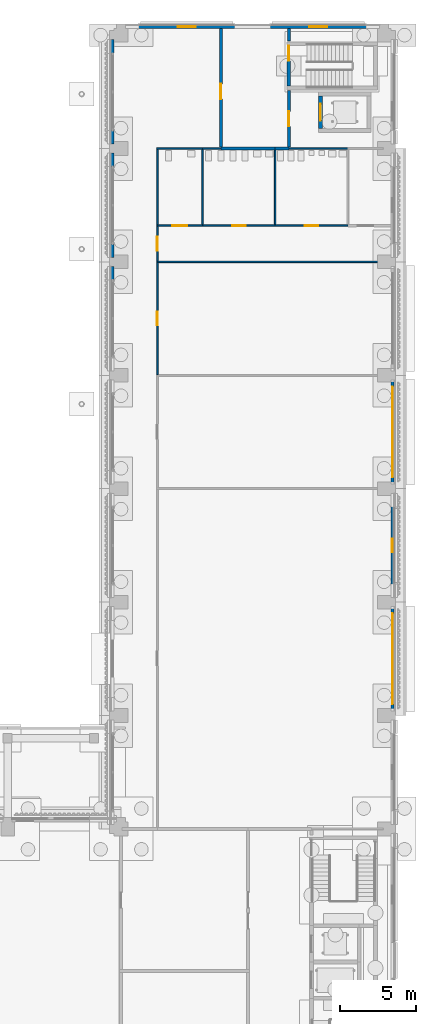
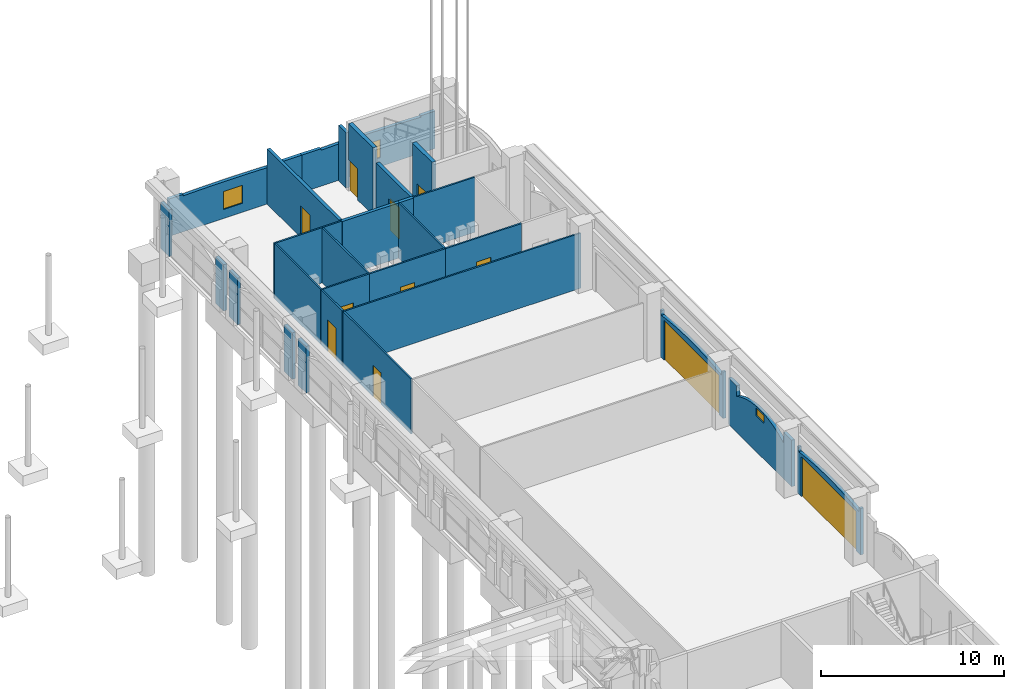
# One storey, part 44 of 99: 29 walls, 11 doors, 3 windows, 14 openings.
"""IFC4 building model written with IfcOpenShell, lengths in metres."""

from ifc_helpers import new_model, si_unit, direction, frame, frame_2d, origin, place, context, subcontext, project, spatial, polyline, rectangle, outline, extrude, material, layer, layer_set, type_object, element, fill, save


model = new_model("IFC4")

# Units and contexts
model_context = context("Model", 3, precision=1e-05, world=origin(), true_north=direction((0.0, 1.0)))
body_context = subcontext(model_context, "Body", "Model", "MODEL_VIEW")
ifc_project = project(units=[si_unit("LENGTHUNIT", "METRE"), si_unit("AREAUNIT", "SQUARE_METRE"), si_unit("VOLUMEUNIT", "CUBIC_METRE"), si_unit("PLANEANGLEUNIT", "RADIAN"), si_unit("MASSUNIT", "GRAM", prefix="KILO")], contexts=[model_context])

# Site, building, storey
site_placement = place(None, origin())
site = spatial("IfcSite", under=ifc_project, at=site_placement, CompositionType="ELEMENT")
building_placement = place(site_placement, origin())
building = spatial("IfcBuilding", under=site, at=building_placement, Name="Cour d'Honneur Mobility Palace", CompositionType="ELEMENT")
storey_placement = place(building_placement, origin())
storey = spatial("IfcBuildingStorey", under=building, at=storey_placement, Name="L00", CompositionType="ELEMENT", Elevation=0.0)

# Wall, opening, door
ifc_material_1 = material(Name="Concrete C40", Category="concrete")
ifc_layer_1 = layer(ifc_material_1, 0.199951171875)
ifc_layer_set_1 = layer_set([ifc_layer_1], Name="Concrete C40")
wall_type_1 = type_object("IfcWallType", Name="Arch infill panel", PredefinedType="SOLIDWALL", material=ifc_layer_set_1)
wall_1_placement = place(storey_placement, frame((162.85009765625, 70.199951171875, 0.0), z_axis=(0.0, 0.0, 1.0), x_axis=(0.0, 1.0, 0.0)))
wall_1 = element("IfcWall", 1, at=wall_1_placement, inside=storey, type_object=wall_type_1, Name="Arch infill panel IP-43", PredefinedType="SOLIDWALL", context=body_context, shape_type="SweptSolid", body=[
    extrude(outline(polyline([(0.0, 0.0), (6.900146484375, 0.0), (6.89990234375, 3.10009765625), (6.751953125, 3.10009765625), (6.75, 2.800048828125), (6.33740234375, 2.85888671875), (5.925048828125, 2.90966796875), (5.512451171875, 2.95263671875), (5.10009765625, 2.98779296875), (4.6875, 3.01513671875), (4.27490234375, 3.034423828125), (3.862548828125, 3.046142578125), (3.449951171875, 3.050048828125), (3.03759765625, 3.046142578125), (2.625, 3.034423828125), (2.21240234375, 3.01513671875), (1.800048828125, 2.98779296875), (1.387451171875, 2.95263671875), (0.97509765625, 2.90966796875), (0.5625, 2.85888671875), (0.14990234375, 2.800048828125), (0.14794921875, 3.10009765625), (0.0, 3.10009765625), (0.0, 0.0)])), frame((0.0, 0.10009765625, 0.0), z_axis=(0.0, -1.0, 0.0), x_axis=(1.0, 0.0, 0.0)), (0.0, 0.0, 1.0), 0.199951171875),
])
opening_1_placement = place(wall_1_placement, frame((0.449951171875, 0.0, 0.0)))
opening_1 = element("IfcOpeningElement", 2, at=opening_1_placement, cuts=wall_1, Name="Opening G1-3", PredefinedType="OPENING", context=body_context, shape_type="SweptSolid", body=[
    extrude(rectangle(XDim=6.0, YDim=2.64990234375, at=frame_2d((3.0, 1.324951171875))), frame((0.0, 0.10986328125, 0.0), z_axis=(0.0, -1.0, 0.0), x_axis=(1.0, 0.0, 0.0)), (0.0, 0.0, 1.0), 0.219970703125),
])
ifc_material_2 = material(Name="Galvanised steel", Category="steel")
door_type_1 = type_object("IfcDoorType", Name="Vehicle gate 6000", OperationType="ROLLINGUP", PredefinedType="GATE", material=ifc_material_2)
door_1_placement = place(opening_1_placement, frame((6.0, 0.0, 0.0), z_axis=(0.0, 0.0, 1.0), x_axis=(-1.0, 0.0, 0.0)))
door_1 = element("IfcDoor", 3, at=door_1_placement, inside=storey, type_object=door_type_1, Name="Vehicle gate 6000 G1-3", OperationType="SINGLE_SWING_LEFT", OverallHeight=2.64990234375, OverallWidth=6.0, PredefinedType="GATE", context=body_context, shape_type="SweptSolid", body=[
    extrude(rectangle(XDim=6.0, YDim=2.64990234375, at=frame_2d((3.0, 1.324951171875))), frame((0.0, 0.02490234375, 0.0), z_axis=(0.0, -1.0, 0.0), x_axis=(1.0, 0.0, 0.0)), (0.0, 0.0, 1.0), 0.050048828125),
])
fill(opening_1, door_1)

# Wall, opening, window
wall_2_placement = place(storey_placement, frame((162.85009765625, 77.699951171875, 0.0), z_axis=(0.0, 0.0, 1.0), x_axis=(0.0, 1.0, 0.0)))
wall_2 = element("IfcWall", 4, at=wall_2_placement, inside=storey, type_object=wall_type_1, Name="Arch infill panel IP-44", PredefinedType="SOLIDWALL", context=body_context, shape_type="SweptSolid", body=[
    extrude(outline(polyline([(0.0, 0.0), (6.900146484375, 0.0), (6.89990234375, 3.10009765625), (6.001953125, 3.10009765625), (6.0, 2.39990234375), (5.68115234375, 2.560302734375), (5.362548828125, 2.69482421875), (5.043701171875, 2.805908203125), (4.72509765625, 2.895263671875), (4.40625, 2.96337890625), (4.08740234375, 3.01171875), (3.768798828125, 3.04052734375), (3.449951171875, 3.050048828125), (3.13134765625, 3.04052734375), (2.8125, 3.01171875), (2.49365234375, 2.96337890625), (2.175048828125, 2.895263671875), (1.856201171875, 2.805908203125), (1.53759765625, 2.69482421875), (1.21875, 2.560302734375), (0.89990234375, 2.39990234375), (0.89794921875, 3.10009765625), (0.0, 3.10009765625), (0.0, 0.0)])), frame((0.0, 0.10009765625, 0.0), z_axis=(0.0, -1.0, 0.0), x_axis=(1.0, 0.0, 0.0)), (0.0, 0.0, 1.0), 0.199951171875),
])
opening_2_placement = place(wall_2_placement, frame((3.0, 0.0, 2.39990234375)))
opening_2 = element("IfcOpeningElement", 5, at=opening_2_placement, cuts=wall_2, Name="Opening WH-33", PredefinedType="OPENING", context=body_context, shape_type="SweptSolid", body=[
    extrude(rectangle(XDim=0.89990234375, YDim=0.531005859375, at=frame_2d((0.449951171875, 0.265625))), frame((0.0, 0.10986328125, 0.0), z_axis=(0.0, -1.0, 0.0), x_axis=(1.0, 0.0, 0.0)), (0.0, 0.0, 1.0), 0.219970703125),
])
ifc_material_3 = material(Name="Aluminium frame and glass", Category="aluminium")
window_type_1 = type_object("IfcWindowType", Name="High-level window 531", PartitioningType="SINGLE_PANEL", PredefinedType="WINDOW", material=ifc_material_3)
window_1_placement = place(opening_2_placement, origin())
window_1 = element("IfcWindow", 6, at=window_1_placement, inside=storey, type_object=window_type_1, Name="High-level window 531 WH-33", OverallHeight=0.531005859375, OverallWidth=0.89990234375, PartitioningType="SINGLE_PANEL", PredefinedType="WINDOW", context=body_context, shape_type="SweptSolid", body=[
    extrude(rectangle(XDim=0.89990234375, YDim=0.531005859375, at=frame_2d((0.449951171875, 0.265625))), frame((0.0, 0.030029296875, 0.0), z_axis=(0.0, -1.0, 0.0), x_axis=(1.0, 0.0, 0.0)), (0.0, 0.0, 1.0), 0.06005859375),
])
fill(opening_2, window_1)

# Wall, opening, door
wall_3_placement = place(storey_placement, frame((162.85009765625, 85.199951171875, 0.0), z_axis=(0.0, 0.0, 1.0), x_axis=(0.0, 1.0, 0.0)))
wall_3 = element("IfcWall", 7, at=wall_3_placement, inside=storey, type_object=wall_type_1, Name="Arch infill panel IP-45", PredefinedType="SOLIDWALL", context=body_context, shape_type="SweptSolid", body=[
    extrude(outline(polyline([(0.0, 0.0), (6.900146484375, 0.0), (6.89990234375, 3.10009765625), (6.751953125, 3.10009765625), (6.75, 2.800048828125), (6.33740234375, 2.85888671875), (5.925048828125, 2.90966796875), (5.512451171875, 2.95263671875), (5.10009765625, 2.98779296875), (4.6875, 3.01513671875), (4.27490234375, 3.034423828125), (3.862548828125, 3.046142578125), (3.449951171875, 3.050048828125), (3.03759765625, 3.046142578125), (2.625, 3.034423828125), (2.21240234375, 3.01513671875), (1.800048828125, 2.98779296875), (1.387451171875, 2.95263671875), (0.97509765625, 2.90966796875), (0.5625, 2.85888671875), (0.14990234375, 2.800048828125), (0.14794921875, 3.10009765625), (0.0, 3.10009765625), (0.0, 0.0)])), frame((0.0, 0.10009765625, 0.0), z_axis=(0.0, -1.0, 0.0), x_axis=(1.0, 0.0, 0.0)), (0.0, 0.0, 1.0), 0.199951171875),
])
opening_3_placement = place(wall_3_placement, frame((0.449951171875, 0.0, 0.0)))
opening_3 = element("IfcOpeningElement", 8, at=opening_3_placement, cuts=wall_3, Name="Opening G1-4", PredefinedType="OPENING", context=body_context, shape_type="SweptSolid", body=[
    extrude(rectangle(XDim=6.0, YDim=2.64990234375, at=frame_2d((3.0, 1.324951171875))), frame((0.0, 0.10986328125, 0.0), z_axis=(0.0, -1.0, 0.0), x_axis=(1.0, 0.0, 0.0)), (0.0, 0.0, 1.0), 0.219970703125),
])
door_2_placement = place(opening_3_placement, frame((6.0, 0.0, 0.0), z_axis=(0.0, 0.0, 1.0), x_axis=(-1.0, 0.0, 0.0)))
door_2 = element("IfcDoor", 9, at=door_2_placement, inside=storey, type_object=door_type_1, Name="Vehicle gate 6000 G1-4", OperationType="SINGLE_SWING_LEFT", OverallHeight=2.64990234375, OverallWidth=6.0, PredefinedType="GATE", context=body_context, shape_type="SweptSolid", body=[
    extrude(rectangle(XDim=6.0, YDim=2.64990234375, at=frame_2d((3.0, 1.324951171875))), frame((0.0, 0.02490234375, 0.0), z_axis=(0.0, -1.0, 0.0), x_axis=(1.0, 0.0, 0.0)), (0.0, 0.0, 1.0), 0.050048828125),
])
fill(opening_3, door_2)

# Wall, opening, window
wall_4_placement = place(storey_placement, frame((162.0, 115.449951171875, 0.0), z_axis=(0.0, 0.0, 1.0), x_axis=(-1.0, 0.0, 0.0)))
wall_4 = element("IfcWall", 10, at=wall_4_placement, inside=storey, type_object=wall_type_1, Name="Arch infill panel IP-49", PredefinedType="SOLIDWALL", context=body_context, shape_type="SweptSolid", body=[
    extrude(outline(polyline([(0.0, 0.0), (8.39990234375, 0.0), (8.39990234375, 2.5), (7.201904296875, 2.5), (7.199951171875, 2.39990234375), (6.80615234375, 2.41162109375), (6.41259765625, 2.421875), (6.018798828125, 2.430419921875), (5.625, 2.4375), (5.231201171875, 2.44287109375), (4.83740234375, 2.44677734375), (4.44384765625, 2.44921875), (4.050048828125, 2.449951171875), (3.65625, 2.44921875), (3.262451171875, 2.44677734375), (2.86865234375, 2.44287109375), (2.47509765625, 2.4375), (2.081298828125, 2.430419921875), (1.6875, 2.421875), (1.293701171875, 2.41162109375), (0.89990234375, 2.39990234375), (0.89794921875, 2.5), (0.0, 2.5), (0.0, 0.0)])), frame((0.0, 0.10009765625, 0.0), z_axis=(0.0, -1.0, 0.0), x_axis=(1.0, 0.0, 0.0)), (0.0, 0.0, 1.0), 0.199951171875),
])
opening_4_placement = place(wall_4_placement, frame((3.449951171875, 0.0, 0.60009765625)))
opening_4 = element("IfcOpeningElement", 11, at=opening_4_placement, cuts=wall_4, Name="Opening WP-5", PredefinedType="OPENING", context=body_context, shape_type="SweptSolid", body=[
    extrude(rectangle(XDim=1.199951171875, YDim=1.199951171875, at=frame_2d((0.60009765625, 0.60009765625))), frame((0.0, 0.10986328125, 0.0), z_axis=(0.0, -1.0, 0.0), x_axis=(1.0, 0.0, 0.0)), (0.0, 0.0, 1.0), 0.219970703125),
])
ifc_material_4 = material(Name="Aluminium frame and glass", Category="aluminium")
window_type_2 = type_object("IfcWindowType", Name="Pavilion window W-PV", PartitioningType="SINGLE_PANEL", PredefinedType="WINDOW", material=ifc_material_4)
window_2_placement = place(opening_4_placement, origin())
window_2 = element("IfcWindow", 12, at=window_2_placement, inside=storey, type_object=window_type_2, Name="Pavilion window W-PV WP-5", OverallHeight=1.199951171875, OverallWidth=1.199951171875, PartitioningType="SINGLE_PANEL", PredefinedType="WINDOW", context=body_context, shape_type="SweptSolid", body=[
    extrude(rectangle(XDim=1.199951171875, YDim=1.199951171875, at=frame_2d((0.60009765625, 0.60009765625))), frame((0.0, 0.030029296875, 0.0), z_axis=(0.0, -1.0, 0.0), x_axis=(1.0, 0.0, 0.0)), (0.0, 0.0, 1.0), 0.06005859375),
])
fill(opening_4, window_2)

wall_5_placement = place(storey_placement, frame((153.60009765625, 115.449951171875, 0.0), z_axis=(0.0, 0.0, 1.0), x_axis=(-1.0, 0.0, 0.0)))
wall_5 = element("IfcWall", 13, at=wall_5_placement, inside=storey, type_object=wall_type_1, Name="Arch infill panel IP-50", PredefinedType="SOLIDWALL", context=body_context, shape_type="SweptSolid", body=[
    extrude(outline(polyline([(0.0, 0.0), (8.400146484375, 0.0), (8.39990234375, 2.5), (7.501953125, 2.5), (7.5, 2.39990234375), (7.106201171875, 2.41162109375), (6.71240234375, 2.421875), (6.31884765625, 2.430419921875), (5.925048828125, 2.4375), (5.53125, 2.44287109375), (5.137451171875, 2.44677734375), (4.74365234375, 2.44921875), (4.35009765625, 2.449951171875), (3.956298828125, 2.44921875), (3.5625, 2.44677734375), (3.168701171875, 2.44287109375), (2.77490234375, 2.4375), (2.38134765625, 2.430419921875), (1.987548828125, 2.421875), (1.59375, 2.41162109375), (1.199951171875, 2.39990234375), (1.197998046875, 2.5), (0.0, 2.5), (0.0, 0.0)])), frame((0.0, 0.10009765625, 0.0), z_axis=(0.0, -1.0, 0.0), x_axis=(1.0, 0.0, 0.0)), (0.0, 0.0, 1.0), 0.199951171875),
])
opening_5_placement = place(wall_5_placement, frame((3.75, 0.0, 0.60009765625)))
opening_5 = element("IfcOpeningElement", 14, at=opening_5_placement, cuts=wall_5, Name="Opening WP-6", PredefinedType="OPENING", context=body_context, shape_type="SweptSolid", body=[
    extrude(rectangle(XDim=1.199951171875, YDim=1.199951171875, at=frame_2d((0.60009765625, 0.60009765625))), frame((0.0, 0.10986328125, 0.0), z_axis=(0.0, -1.0, 0.0), x_axis=(1.0, 0.0, 0.0)), (0.0, 0.0, 1.0), 0.219970703125),
])
window_3_placement = place(opening_5_placement, origin())
window_3 = element("IfcWindow", 15, at=window_3_placement, inside=storey, type_object=window_type_2, Name="Pavilion window W-PV WP-6", OverallHeight=1.199951171875, OverallWidth=1.199951171875, PartitioningType="SINGLE_PANEL", PredefinedType="WINDOW", context=body_context, shape_type="SweptSolid", body=[
    extrude(rectangle(XDim=1.199951171875, YDim=1.199951171875, at=frame_2d((0.60009765625, 0.60009765625))), frame((0.0, 0.030029296875, 0.0), z_axis=(0.0, -1.0, 0.0), x_axis=(1.0, 0.0, 0.0)), (0.0, 0.0, 1.0), 0.06005859375),
])
fill(opening_5, window_3)

# Walls
for number, where, z_axis, x_axis, name in (
    (16, (144.35009765625, 114.60009765625, 0.0), (0.0, 0.0, 1.0), (0.0, -1.0, 0.0), "Arch infill panel IP-51"),
    (17, (144.35009765625, 108.60009765625, 0.0), (0.0, 0.0, 1.0), (0.0, -1.0, 0.0), "Arch infill panel IP-52"),
    (18, (144.35009765625, 107.10009765625, 0.0), (0.0, 0.0, 1.0), (0.0, -1.0, 0.0), "Arch infill panel IP-53"),
    (19, (144.35009765625, 101.10009765625, 0.0), (0.0, 0.0, 1.0), (0.0, -1.0, 0.0), "Arch infill panel IP-54"),
    (20, (144.35009765625, 99.60009765625, 0.0), (0.0, 0.0, 1.0), (0.0, -1.0, 0.0), "Arch infill panel IP-55"),
):
    element("IfcWall", number, at=place(storey_placement, frame(where, z_axis=z_axis, x_axis=x_axis)), inside=storey, type_object=wall_type_1, Name=name, PredefinedType="SOLIDWALL", context=body_context, shape_type="SweptSolid", body=[
        extrude(rectangle(XDim=0.900146484375, YDim=0.199951171875, at=frame_2d((0.4501953125, 0.0))), origin(), (0.0, 0.0, 1.0), 3.10009765625),
    ])

# Wall, opening, door
ifc_material_5 = material(Name="Concrete C50", Category="concrete")
ifc_layer_2 = layer(ifc_material_5, 0.25)
ifc_layer_set_2 = layer_set([ifc_layer_2], Name="Concrete C50")
wall_type_2 = type_object("IfcWallType", Name="Lift shaft wall 250", PredefinedType="SHEAR", material=ifc_layer_set_2)
wall_6_placement = place(storey_placement, frame((158.10009765625, 108.72509765625, -1.39990234375), z_axis=(0.0, 0.0, 1.0), x_axis=(0.0, 1.0, 0.0)))
wall_6 = element("IfcWall", 21, at=wall_6_placement, inside=storey, type_object=wall_type_2, Name="Lift shaft wall WL-NE6 L00", PredefinedType="SHEAR", context=body_context, shape_type="SweptSolid", body=[
    extrude(rectangle(XDim=2.14990234375, YDim=0.25, at=frame_2d((1.074951171875, 0.0))), origin(), (0.0, 0.0, 1.0), 5.89990234375),
])
opening_6_placement = place(wall_6_placement, frame((0.52490234375, 0.0, 1.39990234375)))
opening_6 = element("IfcOpeningElement", 22, at=opening_6_placement, cuts=wall_6, Name="Opening LD59", PredefinedType="OPENING", context=body_context, shape_type="SweptSolid", body=[
    extrude(rectangle(XDim=1.10009765625, YDim=2.10009765625, at=frame_2d((0.550048828125, 1.050048828125))), frame((0.0, 0.135009765625, 0.0), z_axis=(0.0, -1.0, 0.0), x_axis=(1.0, 0.0, 0.0)), (0.0, 0.0, 1.0), 0.27001953125),
])
ifc_material_6 = material(Name="Stainless steel", Category="steel")
door_type_2 = type_object("IfcDoorType", Name="Landing door 1100 x 2100", OperationType="SLIDING_TO_LEFT", PredefinedType="DOOR", material=ifc_material_6)
door_3_placement = place(opening_6_placement, origin())
door_3 = element("IfcDoor", 23, at=door_3_placement, inside=storey, type_object=door_type_2, Name="Landing door LF-NE1 L00", OperationType="SLIDING_TO_LEFT", OverallHeight=2.10009765625, OverallWidth=1.10009765625, PredefinedType="DOOR", context=body_context, shape_type="SweptSolid", body=[
    extrude(rectangle(XDim=1.10009765625, YDim=2.10009765625, at=frame_2d((0.550048828125, 1.050048828125))), frame((0.0, 0.02490234375, 0.0), z_axis=(0.0, -1.0, 0.0), x_axis=(1.0, 0.0, 0.0)), (0.0, 0.0, 1.0), 0.050048828125),
])
fill(opening_6, door_3)

ifc_material_7 = material(Name="Concrete C50", Category="concrete")
ifc_layer_3 = layer(ifc_material_7, 0.199951171875)
ifc_layer_set_3 = layer_set([ifc_layer_3], Name="Concrete C50")
wall_type_3 = type_object("IfcWallType", Name="Load-bearing lobby wall 200 rated EI 120", PredefinedType="PARTITIONING", material=ifc_layer_set_3)
wall_7_placement = place(storey_placement, frame((156.0, 107.5, 0.0), z_axis=(0.0, 0.0, 1.0), x_axis=(0.0, 1.0, 0.0)))
wall_7 = element("IfcWall", 24, at=wall_7_placement, inside=storey, type_object=wall_type_3, Name="Partition 139", PredefinedType="PARTITIONING", context=body_context, shape_type="SweptSolid", body=[
    extrude(rectangle(XDim=3.72509765625, YDim=0.199951171875, at=frame_2d((1.862548828125, 0.0))), origin(), (0.0, 0.0, 1.0), 3.679931640625),
])
opening_7_placement = place(wall_7_placement, frame((1.362548828125, 0.0, 0.0)))
opening_7 = element("IfcOpeningElement", 25, at=opening_7_placement, cuts=wall_7, Name="Opening D0054", PredefinedType="OPENING", context=body_context, shape_type="SweptSolid", body=[
    extrude(rectangle(XDim=1.0, YDim=2.10009765625, at=frame_2d((0.5, 1.050048828125))), frame((0.0, 0.10986328125, 0.0), z_axis=(0.0, -1.0, 0.0), x_axis=(1.0, 0.0, 0.0)), (0.0, 0.0, 1.0), 0.219970703125),
])
ifc_material_8 = material(Name="Galvanised steel", Category="steel")
door_type_3 = type_object("IfcDoorType", Name="Fire door FD120 1000 x 2100", OperationType="SINGLE_SWING_LEFT", PredefinedType="DOOR", material=ifc_material_8)
door_4_placement = place(opening_7_placement, origin())
door_4 = element("IfcDoor", 26, at=door_4_placement, inside=storey, type_object=door_type_3, Name="Door Lift Lobby", OperationType="SINGLE_SWING_RIGHT", OverallHeight=2.10009765625, OverallWidth=1.0, PredefinedType="DOOR", context=body_context, shape_type="SweptSolid", body=[
    extrude(rectangle(XDim=1.0, YDim=2.10009765625, at=frame_2d((0.5, 1.050048828125))), frame((0.0, 0.02490234375, 0.0), z_axis=(0.0, -1.0, 0.0), x_axis=(1.0, 0.0, 0.0)), (0.0, 0.0, 1.0), 0.050048828125),
])
fill(opening_7, door_4)

ifc_material_9 = material(Name="Gypsum plasterboard")
ifc_layer_4 = layer(ifc_material_9, 0.10009765625)
ifc_layer_set_4 = layer_set([ifc_layer_4], Name="Gypsum plasterboard")
wall_type_4 = type_object("IfcWallType", Name="Partition 100", PredefinedType="PARTITIONING", material=ifc_layer_set_4)
wall_8_placement = place(storey_placement, frame((147.300048828125, 99.85009765625, 0.0), z_axis=(0.0, 0.0, 1.0), x_axis=(0.0, -1.0, 0.0)))
wall_8 = element("IfcWall", 27, at=wall_8_placement, inside=storey, type_object=wall_type_4, Name="Partition 110", PredefinedType="PARTITIONING", context=body_context, shape_type="SweptSolid", body=[
    extrude(rectangle(XDim=7.400146484375, YDim=0.10009765625, at=frame_2d((3.7001953125, 0.0))), origin(), (0.0, 0.0, 1.0), 3.679931640625),
])
opening_8_placement = place(wall_8_placement, frame((3.25, 0.0, 0.0)))
opening_8 = element("IfcOpeningElement", 28, at=opening_8_placement, cuts=wall_8, Name="Opening D0042", PredefinedType="OPENING", context=body_context, shape_type="SweptSolid", body=[
    extrude(rectangle(XDim=0.89990234375, YDim=2.10009765625, at=frame_2d((0.449951171875, 1.050048828125))), frame((0.0, 0.06005859375, 0.0), z_axis=(0.0, -1.0, 0.0), x_axis=(1.0, 0.0, 0.0)), (0.0, 0.0, 1.0), 0.1201171875),
])
ifc_material_10 = material(Name="Solid timber", Category="wood")
door_type_4 = type_object("IfcDoorType", Name="Single door 900 x 2100", OperationType="SINGLE_SWING_LEFT", PredefinedType="DOOR", material=ifc_material_10)
door_5_placement = place(opening_8_placement, origin())
door_5 = element("IfcDoor", 29, at=door_5_placement, inside=storey, type_object=door_type_4, Name="Door Battery Workshop", OperationType="SINGLE_SWING_LEFT", OverallHeight=2.10009765625, OverallWidth=0.89990234375, PredefinedType="DOOR", context=body_context, shape_type="SweptSolid", body=[
    extrude(rectangle(XDim=0.89990234375, YDim=2.10009765625, at=frame_2d((0.449951171875, 1.050048828125))), frame((0.0, 0.02490234375, 0.0), z_axis=(0.0, -1.0, 0.0), x_axis=(1.0, 0.0, 0.0)), (0.0, 0.0, 1.0), 0.050048828125),
])
fill(opening_8, door_5)

# Wall
wall_9_placement = place(storey_placement, frame((162.239990234375, 99.89990234375, 0.0), z_axis=(0.0, 0.0, 1.0), x_axis=(-1.0, 0.0, 0.0)))
element("IfcWall", 30, at=wall_9_placement, inside=storey, type_object=wall_type_4, Name="Partition 111", PredefinedType="PARTITIONING", context=body_context, shape_type="SweptSolid", body=[
    extrude(rectangle(XDim=14.989990234375, YDim=0.10009765625, at=frame_2d((7.4951171875, 0.0))), origin(), (0.0, 0.0, 1.0), 3.679931640625),
])

# Wall, opening, door
wall_10_placement = place(storey_placement, frame((147.300048828125, 102.25, 0.0), z_axis=(0.0, 0.0, 1.0), x_axis=(0.0, -1.0, 0.0)))
wall_10 = element("IfcWall", 31, at=wall_10_placement, inside=storey, type_object=wall_type_4, Name="Partition 120", PredefinedType="PARTITIONING", context=body_context, shape_type="SweptSolid", body=[
    extrude(rectangle(XDim=2.300048828125, YDim=0.10009765625, at=frame_2d((1.14990234375, 0.0))), origin(), (0.0, 0.0, 1.0), 3.679931640625),
])
opening_9_placement = place(wall_10_placement, frame((0.699951171875, 0.0, 0.0)))
opening_9 = element("IfcOpeningElement", 32, at=opening_9_placement, cuts=wall_10, Name="Opening D0043", PredefinedType="OPENING", context=body_context, shape_type="SweptSolid", body=[
    extrude(rectangle(XDim=0.89990234375, YDim=2.10009765625, at=frame_2d((0.449951171875, 1.050048828125))), frame((0.0, 0.06005859375, 0.0), z_axis=(0.0, -1.0, 0.0), x_axis=(1.0, 0.0, 0.0)), (0.0, 0.0, 1.0), 0.1201171875),
])
door_6_placement = place(opening_9_placement, origin())
door_6 = element("IfcDoor", 33, at=door_6_placement, inside=storey, type_object=door_type_4, Name="Door WC Corridor East", OperationType="SINGLE_SWING_LEFT", OverallHeight=2.10009765625, OverallWidth=0.89990234375, PredefinedType="DOOR", context=body_context, shape_type="SweptSolid", body=[
    extrude(rectangle(XDim=0.89990234375, YDim=2.10009765625, at=frame_2d((0.449951171875, 1.050048828125))), frame((0.0, 0.02490234375, 0.0), z_axis=(0.0, -1.0, 0.0), x_axis=(1.0, 0.0, 0.0)), (0.0, 0.0, 1.0), 0.050048828125),
])
fill(opening_9, door_6)

wall_11_placement = place(storey_placement, frame((150.300048828125, 102.300048828125, 0.0), z_axis=(0.0, 0.0, 1.0), x_axis=(-1.0, 0.0, 0.0)))
wall_11 = element("IfcWall", 34, at=wall_11_placement, inside=storey, type_object=wall_type_4, Name="Partition 121", PredefinedType="PARTITIONING", context=body_context, shape_type="SweptSolid", body=[
    extrude(rectangle(XDim=3.050048828125, YDim=0.10009765625, at=frame_2d((1.52490234375, 0.0))), origin(), (0.0, 0.0, 1.0), 3.679931640625),
])
opening_10_placement = place(wall_11_placement, frame((1.02490234375, 0.0, 0.0)))
opening_10 = element("IfcOpeningElement", 35, at=opening_10_placement, cuts=wall_11, Name="Opening D0047", PredefinedType="OPENING", context=body_context, shape_type="SweptSolid", body=[
    extrude(rectangle(XDim=1.0, YDim=2.10009765625, at=frame_2d((0.5, 1.050048828125))), frame((0.0, 0.06005859375, 0.0), z_axis=(0.0, -1.0, 0.0), x_axis=(1.0, 0.0, 0.0)), (0.0, 0.0, 1.0), 0.1201171875),
])
ifc_material_11 = material(Name="Solid timber", Category="wood")
door_type_5 = type_object("IfcDoorType", Name="Accessible door 1000 x 2100", OperationType="SINGLE_SWING_LEFT", PredefinedType="DOOR", material=ifc_material_11)
door_7_placement = place(opening_10_placement, origin())
door_7 = element("IfcDoor", 36, at=door_7_placement, inside=storey, type_object=door_type_5, Name="Door Accessible WC East", OperationType="SINGLE_SWING_RIGHT", OverallHeight=2.10009765625, OverallWidth=1.0, PredefinedType="DOOR", context=body_context, shape_type="SweptSolid", body=[
    extrude(rectangle(XDim=1.0, YDim=2.10009765625, at=frame_2d((0.5, 1.050048828125))), frame((0.0, 0.02490234375, 0.0), z_axis=(0.0, -1.0, 0.0), x_axis=(1.0, 0.0, 0.0)), (0.0, 0.0, 1.0), 0.050048828125),
])
fill(opening_10, door_7)

wall_12_placement = place(storey_placement, frame((155.10009765625, 102.300048828125, 0.0), z_axis=(0.0, 0.0, 1.0), x_axis=(-1.0, 0.0, 0.0)))
wall_12 = element("IfcWall", 37, at=wall_12_placement, inside=storey, type_object=wall_type_4, Name="Partition 122", PredefinedType="PARTITIONING", context=body_context, shape_type="SweptSolid", body=[
    extrude(rectangle(XDim=4.800048828125, YDim=0.10009765625, at=frame_2d((2.39990234375, 0.0))), origin(), (0.0, 0.0, 1.0), 3.679931640625),
])
opening_11_placement = place(wall_12_placement, frame((1.949951171875, 0.0, 0.0)))
opening_11 = element("IfcOpeningElement", 38, at=opening_11_placement, cuts=wall_12, Name="Opening D0046", PredefinedType="OPENING", context=body_context, shape_type="SweptSolid", body=[
    extrude(rectangle(XDim=0.89990234375, YDim=2.10009765625, at=frame_2d((0.449951171875, 1.050048828125))), frame((0.0, 0.06005859375, 0.0), z_axis=(0.0, -1.0, 0.0), x_axis=(1.0, 0.0, 0.0)), (0.0, 0.0, 1.0), 0.1201171875),
])
door_8_placement = place(opening_11_placement, origin())
door_8 = element("IfcDoor", 39, at=door_8_placement, inside=storey, type_object=door_type_4, Name="Door WC Women East", OperationType="SINGLE_SWING_LEFT", OverallHeight=2.10009765625, OverallWidth=0.89990234375, PredefinedType="DOOR", context=body_context, shape_type="SweptSolid", body=[
    extrude(rectangle(XDim=0.89990234375, YDim=2.10009765625, at=frame_2d((0.449951171875, 1.050048828125))), frame((0.0, 0.02490234375, 0.0), z_axis=(0.0, -1.0, 0.0), x_axis=(1.0, 0.0, 0.0)), (0.0, 0.0, 1.0), 0.050048828125),
])
fill(opening_11, door_8)

wall_13_placement = place(storey_placement, frame((159.89990234375, 102.300048828125, 0.0), z_axis=(0.0, 0.0, 1.0), x_axis=(-1.0, 0.0, 0.0)))
wall_13 = element("IfcWall", 40, at=wall_13_placement, inside=storey, type_object=wall_type_4, Name="Partition 123", PredefinedType="PARTITIONING", context=body_context, shape_type="SweptSolid", body=[
    extrude(rectangle(XDim=4.7998046875, YDim=0.10009765625, at=frame_2d((2.39990234375, 0.0))), origin(), (0.0, 0.0, 1.0), 3.679931640625),
])
opening_12_placement = place(wall_13_placement, frame((1.949951171875, 0.0, 0.0)))
opening_12 = element("IfcOpeningElement", 41, at=opening_12_placement, cuts=wall_13, Name="Opening D0045", PredefinedType="OPENING", context=body_context, shape_type="SweptSolid", body=[
    extrude(rectangle(XDim=0.89990234375, YDim=2.10009765625, at=frame_2d((0.449951171875, 1.050048828125))), frame((0.0, 0.06005859375, 0.0), z_axis=(0.0, -1.0, 0.0), x_axis=(1.0, 0.0, 0.0)), (0.0, 0.0, 1.0), 0.1201171875),
])
door_9_placement = place(opening_12_placement, origin())
door_9 = element("IfcDoor", 42, at=door_9_placement, inside=storey, type_object=door_type_4, Name="Door WC Men East", OperationType="SINGLE_SWING_LEFT", OverallHeight=2.10009765625, OverallWidth=0.89990234375, PredefinedType="DOOR", context=body_context, shape_type="SweptSolid", body=[
    extrude(rectangle(XDim=0.89990234375, YDim=2.10009765625, at=frame_2d((0.449951171875, 1.050048828125))), frame((0.0, 0.02490234375, 0.0), z_axis=(0.0, -1.0, 0.0), x_axis=(1.0, 0.0, 0.0)), (0.0, 0.0, 1.0), 0.050048828125),
])
fill(opening_12, door_9)

# Walls
for number, where, z_axis, x_axis, name in (
    (43, (147.300048828125, 107.35009765625, 0.0), (0.0, 0.0, 1.0), (0.0, -1.0, 0.0), "Partition 132"),
    (44, (150.300048828125, 107.35009765625, 0.0), (0.0, 0.0, 1.0), (0.0, -1.0, 0.0), "Partition 133"),
):
    element("IfcWall", number, at=place(storey_placement, frame(where, z_axis=z_axis, x_axis=x_axis)), inside=storey, type_object=wall_type_4, Name=name, PredefinedType="PARTITIONING", context=body_context, shape_type="SweptSolid", body=[
        extrude(rectangle(XDim=5.0, YDim=0.10009765625, at=frame_2d((2.5, 0.0))), origin(), (0.0, 0.0, 1.0), 3.679931640625),
    ])
wall_14_placement = place(storey_placement, frame((150.300048828125, 107.39990234375, 0.0), z_axis=(0.0, 0.0, 1.0), x_axis=(-1.0, 0.0, 0.0)))
element("IfcWall", 45, at=wall_14_placement, inside=storey, type_object=wall_type_4, Name="Partition 134", PredefinedType="PARTITIONING", context=body_context, shape_type="SweptSolid", body=[
    extrude(rectangle(XDim=3.050048828125, YDim=0.10009765625, at=frame_2d((1.52490234375, 0.0))), origin(), (0.0, 0.0, 1.0), 3.679931640625),
])
wall_15_placement = place(storey_placement, frame((151.5, 107.39990234375, 0.0), z_axis=(0.0, 0.0, 1.0), x_axis=(-1.0, 0.0, 0.0)))
element("IfcWall", 46, at=wall_15_placement, inside=storey, type_object=wall_type_4, Name="Partition 135", PredefinedType="PARTITIONING", context=body_context, shape_type="SweptSolid", body=[
    extrude(rectangle(XDim=1.199951171875, YDim=0.10009765625, at=frame_2d((0.60009765625, 0.0))), origin(), (0.0, 0.0, 1.0), 3.679931640625),
])
wall_16_placement = place(storey_placement, frame((155.10009765625, 107.300048828125, 0.0), z_axis=(0.0, 0.0, 1.0), x_axis=(0.0, -1.0, 0.0)))
element("IfcWall", 47, at=wall_16_placement, inside=storey, type_object=wall_type_4, Name="Partition 137", PredefinedType="PARTITIONING", context=body_context, shape_type="SweptSolid", body=[
    extrude(rectangle(XDim=4.949951171875, YDim=0.10009765625, at=frame_2d((2.47509765625, 0.0))), origin(), (0.0, 0.0, 1.0), 3.679931640625),
])
wall_17_placement = place(storey_placement, frame((159.89990234375, 107.39990234375, 0.0), z_axis=(0.0, 0.0, 1.0), x_axis=(-1.0, 0.0, 0.0)))
element("IfcWall", 48, at=wall_17_placement, inside=storey, type_object=wall_type_4, Name="Partition 141", PredefinedType="PARTITIONING", context=body_context, shape_type="SweptSolid", body=[
    extrude(rectangle(XDim=3.89990234375, YDim=0.10009765625, at=frame_2d((1.949951171875, 0.0))), origin(), (0.0, 0.0, 1.0), 3.679931640625),
])
ifc_material_12 = material(Name="Gypsum plasterboard")
ifc_layer_5 = layer(ifc_material_12, 0.199951171875)
ifc_layer_set_5 = layer_set([ifc_layer_5], Name="Gypsum plasterboard")
wall_type_5 = type_object("IfcWallType", Name="Partition 200 rated EI 120", PredefinedType="PARTITIONING", material=ifc_layer_set_5)
wall_18_placement = place(storey_placement, frame((151.5, 107.39990234375, 0.0), z_axis=(0.0, 0.0, 1.0), x_axis=(1.0, 0.0, 0.0)))
element("IfcWall", 49, at=wall_18_placement, inside=storey, type_object=wall_type_5, Name="Partition 136", PredefinedType="PARTITIONING", context=body_context, shape_type="SweptSolid", body=[
    extrude(rectangle(XDim=3.60009765625, YDim=0.199951171875, at=frame_2d((1.800048828125, 0.0))), origin(), (0.0, 0.0, 1.0), 3.679931640625),
])
wall_19_placement = place(storey_placement, frame((155.10009765625, 107.39990234375, 0.0), z_axis=(0.0, 0.0, 1.0), x_axis=(1.0, 0.0, 0.0)))
element("IfcWall", 50, at=wall_19_placement, inside=storey, type_object=wall_type_5, Name="Partition 138", PredefinedType="PARTITIONING", context=body_context, shape_type="SweptSolid", body=[
    extrude(rectangle(XDim=0.89990234375, YDim=0.199951171875, at=frame_2d((0.449951171875, 0.0))), origin(), (0.0, 0.0, 1.0), 3.679931640625),
])
wall_20_placement = place(storey_placement, frame((156.0, 114.5, 0.0), z_axis=(0.0, 0.0, 1.0), x_axis=(0.0, 1.0, 0.0)))
element("IfcWall", 51, at=wall_20_placement, inside=storey, type_object=wall_type_5, Name="Partition 144", PredefinedType="PARTITIONING", context=body_context, shape_type="SweptSolid", body=[
    extrude(rectangle(XDim=0.85009765625, YDim=0.199951171875, at=frame_2d((0.425048828125, 0.0))), origin(), (0.0, 0.0, 1.0), 3.679931640625),
])

# Wall, opening, door
wall_21_placement = place(storey_placement, frame((151.5, 115.35009765625, 0.0), z_axis=(0.0, 0.0, 1.0), x_axis=(0.0, -1.0, 0.0)))
wall_21 = element("IfcWall", 52, at=wall_21_placement, inside=storey, type_object=wall_type_5, Name="Partition 146", PredefinedType="PARTITIONING", context=body_context, shape_type="SweptSolid", body=[
    extrude(rectangle(XDim=7.85009765625, YDim=0.199951171875, at=frame_2d((3.925048828125, 0.0))), origin(), (0.0, 0.0, 1.0), 3.679931640625),
])
opening_13_placement = place(wall_21_placement, frame((3.679931640625, 0.0, 0.0)))
opening_13 = element("IfcOpeningElement", 53, at=opening_13_placement, cuts=wall_21, Name="Opening D0003", PredefinedType="OPENING", context=body_context, shape_type="SweptSolid", body=[
    extrude(rectangle(XDim=1.0, YDim=2.10009765625, at=frame_2d((0.5, 1.050048828125))), frame((0.0, 0.10986328125, 0.0), z_axis=(0.0, -1.0, 0.0), x_axis=(1.0, 0.0, 0.0)), (0.0, 0.0, 1.0), 0.219970703125),
])
door_10_placement = place(opening_13_placement, origin())
door_10 = element("IfcDoor", 54, at=door_10_placement, inside=storey, type_object=door_type_3, Name="Door Lift Lobby NE", OperationType="SINGLE_SWING_RIGHT", OverallHeight=2.10009765625, OverallWidth=1.0, PredefinedType="DOOR", context=body_context, shape_type="SweptSolid", body=[
    extrude(rectangle(XDim=1.0, YDim=2.10009765625, at=frame_2d((0.5, 1.050048828125))), frame((0.0, 0.02490234375, 0.0), z_axis=(0.0, -1.0, 0.0), x_axis=(1.0, 0.0, 0.0)), (0.0, 0.0, 1.0), 0.050048828125),
])
fill(opening_13, door_10)

ifc_material_13 = material(Name="Concrete C50", Category="concrete")
ifc_layer_6 = layer(ifc_material_13, 0.25)
ifc_layer_set_6 = layer_set([ifc_layer_6], Name="Concrete C50")
wall_type_6 = type_object("IfcWallType", Name="Stair wall 250", PredefinedType="SHEAR", material=ifc_layer_set_6)
wall_22_placement = place(storey_placement, frame((156.0, 111.52490234375, 0.0), z_axis=(0.0, 0.0, 1.0), x_axis=(0.0, 1.0, 0.0)))
wall_22 = element("IfcWall", 55, at=wall_22_placement, inside=storey, type_object=wall_type_6, Name="Stair wall WS-NE5 L00", PredefinedType="SHEAR", context=body_context, shape_type="SweptSolid", body=[
    extrude(rectangle(XDim=2.675048828125, YDim=0.25, at=frame_2d((1.33740234375, 0.0))), origin(), (0.0, 0.0, 1.0), 4.5),
])
opening_14_placement = place(wall_22_placement, frame((1.675048828125, 0.0, 0.0)))
opening_14 = element("IfcOpeningElement", 56, at=opening_14_placement, cuts=wall_22, Name="Opening S103", PredefinedType="OPENING", context=body_context, shape_type="SweptSolid", body=[
    extrude(rectangle(XDim=1.0, YDim=2.10009765625, at=frame_2d((0.5, 1.050048828125))), frame((0.0, 0.135009765625, 0.0), z_axis=(0.0, -1.0, 0.0), x_axis=(1.0, 0.0, 0.0)), (0.0, 0.0, 1.0), 0.27001953125),
])
ifc_material_14 = material(Name="Galvanised steel", Category="steel")
door_type_6 = type_object("IfcDoorType", Name="Fire door FD120 stair 1000 x 2100", OperationType="SINGLE_SWING_LEFT", PredefinedType="DOOR", material=ifc_material_14)
door_11_placement = place(opening_14_placement, origin())
door_11 = element("IfcDoor", 57, at=door_11_placement, inside=storey, type_object=door_type_6, Name="Stair door ST-NE1 L00", OperationType="SINGLE_SWING_RIGHT", OverallHeight=2.10009765625, OverallWidth=1.0, PredefinedType="DOOR", context=body_context, shape_type="SweptSolid", body=[
    extrude(rectangle(XDim=1.0, YDim=2.10009765625, at=frame_2d((0.5, 1.050048828125))), frame((0.0, 0.02490234375, 0.0), z_axis=(0.0, -1.0, 0.0), x_axis=(1.0, 0.0, 0.0)), (0.0, 0.0, 1.0), 0.050048828125),
])
fill(opening_14, door_11)

save(model, "model.ifc")
